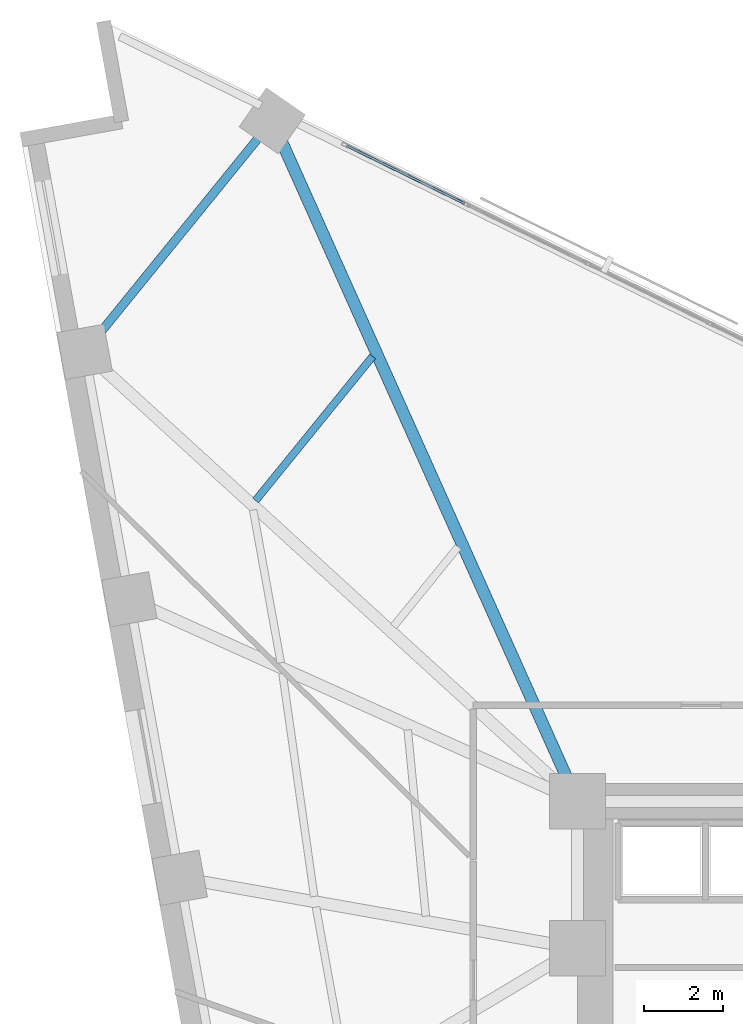
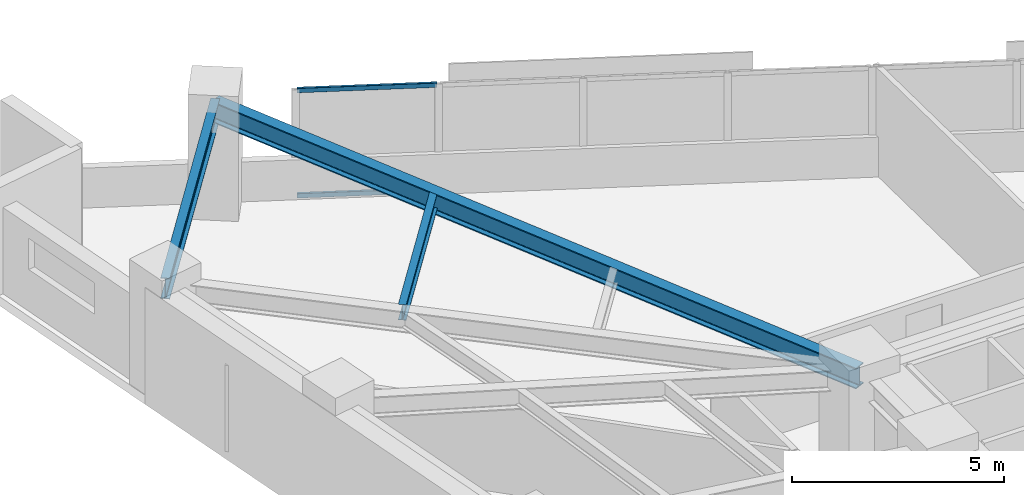
# One storey, part 9 of 20: 3 beams, 2 members, 1 element without a shape of its own.
"""IFC4 building model written with IfcOpenShell, lengths in metres."""

from ifc_helpers import new_model, si_unit, direction, frame, origin, origin_2d, place, context, subcontext, project, spatial, hollow_rectangle, i_section, extrude, material, material_profile, profile_set, type_object, element, aggregate, save


model = new_model("IFC4")

# Units and contexts
model_context = context("Model", 3, precision=1e-05, world=origin(), true_north=direction((0.0, 1.0)))
body_context = subcontext(model_context, "Body", "Model", "MODEL_VIEW")
ifc_project = project(units=[si_unit("LENGTHUNIT", "METRE"), si_unit("AREAUNIT", "SQUARE_METRE"), si_unit("VOLUMEUNIT", "CUBIC_METRE"), si_unit("PLANEANGLEUNIT", "RADIAN"), si_unit("MASSUNIT", "GRAM", prefix="KILO")], contexts=[model_context])

# Site, building, storey
site_placement = place(None, origin())
site = spatial("IfcSite", under=ifc_project, at=site_placement, CompositionType="ELEMENT")
building_placement = place(site_placement, origin())
building = spatial("IfcBuilding", under=site, at=building_placement, Name="Narakoshi Arena Tower", CompositionType="ELEMENT")
storey_placement = place(building_placement, frame((0.0, 0.0, 124.5)))
storey = spatial("IfcBuildingStorey", under=building, at=storey_placement, Name="L33", CompositionType="ELEMENT", Elevation=124.5)

# Beams
ifc_material_1 = material(Name="Structural steel S355J2", Category="steel")
ifc_material_profile_1 = material_profile(ifc_material_1, i_section(OverallWidth=0.219970703125, OverallDepth=0.60009765625, WebThickness=0.011962890625, FlangeThickness=0.01904296875, FilletRadius=0.02392578125, at=origin_2d()), Name="IPE600")
ifc_profile_set_1 = profile_set([ifc_material_profile_1], Name="Structural steel S355J2")
beam_type_1 = type_object("IfcBeamType", Name="BM-EDGE-600", PredefinedType="BEAM", material=ifc_profile_set_1)
beam_1_placement = place(storey_placement, frame((64.31787109375, 73.633056640625, 2.800048828125), z_axis=(-0.630427035182, -0.776248512598, 0.0), x_axis=(0.776248512598, -0.630427035182, 0.0)))
element("IfcBeam", 1, at=beam_1_placement, inside=storey, type_object=beam_type_1, Name="L33 Perimeter Edge Girder 09", PredefinedType="BEAM", context=body_context, shape_type="SweptSolid", body=[
    extrude(i_section(OverallWidth=0.219970703125, OverallDepth=0.60009765625, WebThickness=0.011962890625, FlangeThickness=0.01904296875, FilletRadius=0.02392578125, at=origin_2d()), origin(), (0.0, 0.0, 1.0), 7.493896484375),
])
ifc_material_profile_2 = material_profile(ifc_material_1, i_section(OverallWidth=0.300048828125, OverallDepth=0.60009765625, WebThickness=0.015380859375, FlangeThickness=0.030029296875, FilletRadius=0.027099609375, at=origin_2d()), Name="HE600B")
ifc_profile_set_2 = profile_set([ifc_material_profile_2], Name="Structural steel S355J2")
beam_type_2 = type_object("IfcBeamType", Name="BM-PRI-600", PredefinedType="BEAM", material=ifc_profile_set_2)
beam_2_placement = place(storey_placement, frame((72.0, 56.5, 2.800048828125), z_axis=(-0.409135423529, 0.91247367371, 0.0), x_axis=(-0.91247367371, -0.409135423529, 0.0)))
element("IfcBeam", 2, at=beam_2_placement, inside=storey, type_object=beam_type_2, Name="L33 Radial Primary Floor Girder 09", PredefinedType="BEAM", context=body_context, shape_type="SweptSolid", body=[
    extrude(i_section(OverallWidth=0.300048828125, OverallDepth=0.60009765625, WebThickness=0.015380859375, FlangeThickness=0.030029296875, FilletRadius=0.027099609375, at=origin_2d()), origin(), (0.0, 0.0, 1.0), 18.776611328125),
])
ifc_material_profile_3 = material_profile(ifc_material_1, i_section(OverallWidth=0.18994140625, OverallDepth=0.449951171875, WebThickness=0.009521484375, FlangeThickness=0.0146484375, FilletRadius=0.02099609375, at=origin_2d()), Name="IPE450")
ifc_profile_set_3 = profile_set([ifc_material_profile_3], Name="Structural steel S355J2")
beam_type_3 = type_object("IfcBeamType", Name="BM-SEC-450", PredefinedType="JOIST", material=ifc_profile_set_3)
beam_3_placement = place(storey_placement, frame((66.844482421875, 67.702880859375, 2.875), z_axis=(-0.630421596357, -0.776252929687, 0.0), x_axis=(0.776252929687, -0.630421596357, 0.0)))
element("IfcBeam", 3, at=beam_3_placement, inside=storey, type_object=beam_type_3, Name="L33 Composite Secondary Floor Joist 11", PredefinedType="JOIST", context=body_context, shape_type="SweptSolid", body=[
    extrude(i_section(OverallWidth=0.18994140625, OverallDepth=0.449951171875, WebThickness=0.009521484375, FlangeThickness=0.0146484375, FilletRadius=0.02099609375, at=origin_2d()), origin(), (0.0, 0.0, 1.0), 4.67578125),
])

# Curtain wall, members
ifc_material_2 = material(Name="Anodised bronze aluminium 6063-T6", Category="aluminium")
curtain_wall_type = type_object("IfcCurtainWallType", Name="CW-HYP-LOW", PredefinedType="NOTDEFINED", material=ifc_material_2)
curtain_wall_placement = place(storey_placement, origin())
curtain_wall = element("IfcCurtainWall", 4, at=curtain_wall_placement, inside=storey, type_object=curtain_wall_type, Name="L33 Folded Hypotenuse Curtain Wall 2-1", PredefinedType="NOTDEFINED")
ifc_material_profile_4 = material_profile(ifc_material_2, hollow_rectangle(XDim=0.06494140625, YDim=0.1298828125, WallThickness=0.00390625, OuterFilletRadius=0.0048828125, at=origin_2d()), Name="TRN130x65x4")
ifc_profile_set_4 = profile_set([ifc_material_profile_4], Name="Anodised bronze aluminium 6063-T6")
member_type = type_object("IfcMemberType", Name="MEM-TRN-130", PredefinedType="USERDEFINED", material=ifc_profile_set_4)
member_1_placement = place(storey_placement, frame((69.1591796875, 71.55029296875, 0.032470703125), z_axis=(-0.898012158644, 0.439970638711, 0.0), x_axis=(-0.439970638711, -0.898012158644, 0.0)))
member_1 = element("IfcMember", 5, at=member_1_placement, type_object=member_type, Name="CW-01 transom 7.1", ObjectType="TRANSOM", PredefinedType="USERDEFINED", context=body_context, shape_type="SweptSolid", body=[
    extrude(hollow_rectangle(XDim=0.06494140625, YDim=0.1298828125, WallThickness=0.00390625, OuterFilletRadius=0.0048828125, at=origin_2d()), origin(), (0.0, 0.0, 1.0), 3.31005859375),
])
member_2_placement = place(storey_placement, frame((69.1591796875, 71.55029296875, 3.0673828125), z_axis=(-0.898012158644, 0.439970638711, 0.0), x_axis=(-0.439970638711, -0.898012158644, 0.0)))
member_2 = element("IfcMember", 6, at=member_2_placement, type_object=member_type, Name="CW-01 transom 7.2", ObjectType="TRANSOM", PredefinedType="USERDEFINED", context=body_context, shape_type="SweptSolid", body=[
    extrude(hollow_rectangle(XDim=0.06494140625, YDim=0.1298828125, WallThickness=0.00390625, OuterFilletRadius=0.0048828125, at=origin_2d()), origin(), (0.0, 0.0, 1.0), 3.31005859375),
])
aggregate(curtain_wall, [member_1, member_2])

save(model, "model.ifc")
